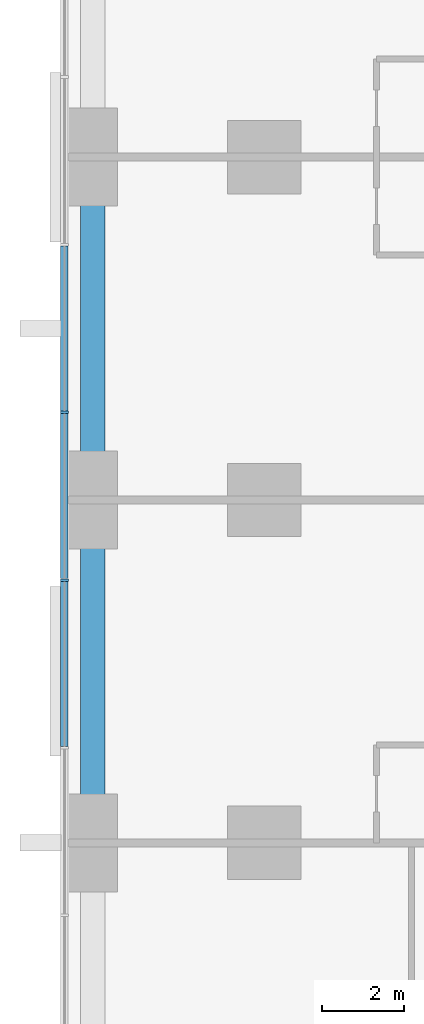
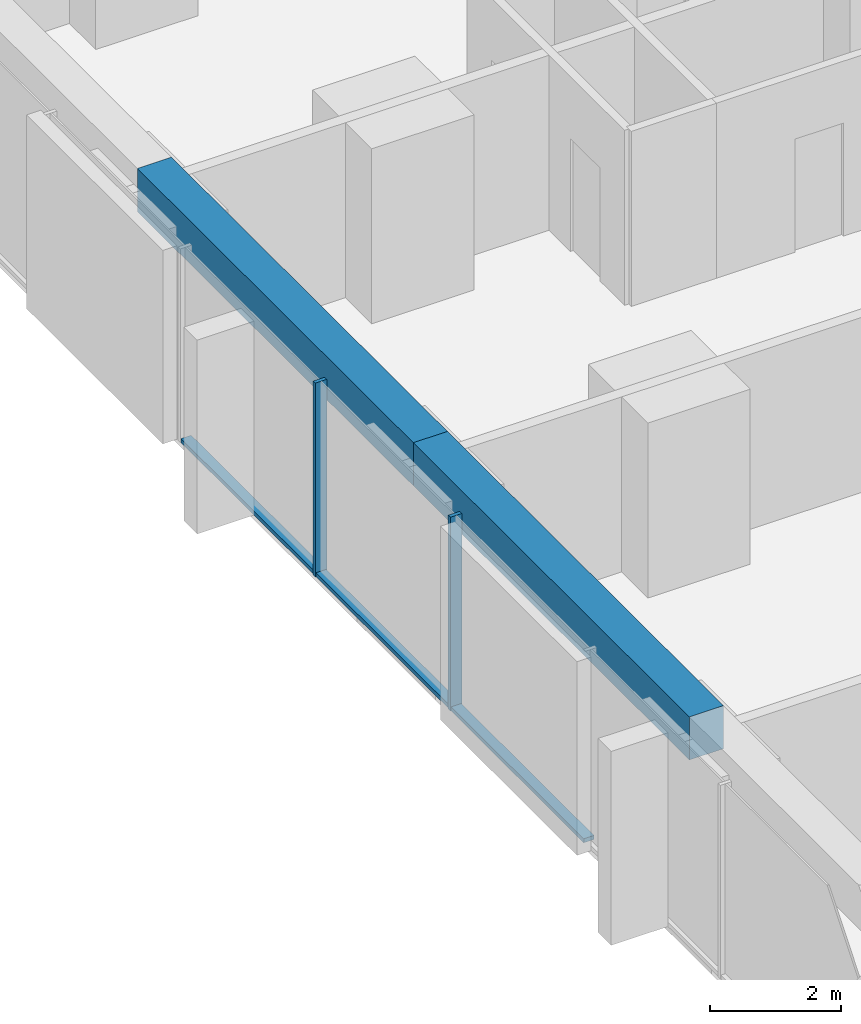
# One storey, part 3 of 17: 5 members, 2 beams, 1 element without a shape of its own.
"""IFC4 building model written with IfcOpenShell, lengths in metres."""

from ifc_helpers import new_model, si_unit, direction, frame, origin, origin_2d, place, context, subcontext, project, spatial, rectangle, extrude, material, material_profile, profile_set, type_object, element, aggregate, save


model = new_model("IFC4")

# Units and contexts
model_context = context("Model", 3, precision=1e-05, world=origin(), true_north=direction((0.0, 1.0)))
body_context = subcontext(model_context, "Body", "Model", "MODEL_VIEW")
ifc_project = project(units=[si_unit("LENGTHUNIT", "METRE"), si_unit("AREAUNIT", "SQUARE_METRE"), si_unit("VOLUMEUNIT", "CUBIC_METRE"), si_unit("PLANEANGLEUNIT", "RADIAN"), si_unit("MASSUNIT", "GRAM", prefix="KILO")], contexts=[model_context])

# Site, building, storey
site_placement = place(None, origin())
site = spatial("IfcSite", under=ifc_project, at=site_placement, CompositionType="ELEMENT")
building_placement = place(site_placement, origin())
building = spatial("IfcBuilding", under=site, at=building_placement, Name="Dunama Terrace Hotel", CompositionType="ELEMENT")
storey_placement = place(building_placement, frame((0.0, 0.0, 73.800048828125)))
storey = spatial("IfcBuildingStorey", under=building, at=storey_placement, Name="L18", CompositionType="ELEMENT", Elevation=73.800048828125)

# Curtain wall, members
ifc_material_1 = material(Name="Aluminium curtain wall system", Category="aluminium")
curtain_wall_type = type_object("IfcCurtainWallType", Name="Unitised fritted glass wall CW-A", PredefinedType="NOTDEFINED", material=ifc_material_1)
curtain_wall_placement = place(storey_placement, origin())
curtain_wall = element("IfcCurtainWall", 1, at=curtain_wall_placement, inside=storey, type_object=curtain_wall_type, Name="Unitised fritted glass wall CW-A L18", PredefinedType="NOTDEFINED")
ifc_material_2 = material(Name="Aluminium mullion", Category="aluminium")
ifc_material_profile_1 = material_profile(ifc_material_2, rectangle(XDim=0.06494140625, YDim=0.199951171875, at=origin_2d()), Name="CWA MULLION 65X200")
ifc_profile_set_1 = profile_set([ifc_material_profile_1], Name="Aluminium mullion")
member_type_1 = type_object("IfcMemberType", Name="CWA mullion 65x200", PredefinedType="MULLION", material=ifc_profile_set_1)
member_1_placement = place(storey_placement, frame((-0.10009765625, 27.345947265625, 0.0), z_axis=(0.0, 0.0, 1.0), x_axis=(0.0, -1.0, 0.0)))
member_1 = element("IfcMember", 2, at=member_1_placement, type_object=member_type_1, Name="CWA mullion", PredefinedType="MULLION", context=body_context, shape_type="SweptSolid", body=[
    extrude(rectangle(XDim=0.06494140625, YDim=0.199951171875, at=origin_2d()), origin(), (0.0, 0.0, 1.0), 3.599853515625),
])
member_2_placement = place(storey_placement, frame((-0.10009765625, 23.238037109375, 0.0), z_axis=(0.0, 0.0, 1.0), x_axis=(0.0, -1.0, 0.0)))
member_2 = element("IfcMember", 3, at=member_2_placement, type_object=member_type_1, Name="CWA mullion", PredefinedType="MULLION", context=body_context, shape_type="SweptSolid", body=[
    extrude(rectangle(XDim=0.06494140625, YDim=0.199951171875, at=origin_2d()), origin(), (0.0, 0.0, 1.0), 3.599853515625),
])
ifc_material_3 = material(Name="Aluminium transom", Category="aluminium")
ifc_material_profile_2 = material_profile(ifc_material_3, rectangle(XDim=0.179931640625, YDim=0.074951171875, at=origin_2d()), Name="CWA TRANSOM 180X75")
ifc_profile_set_2 = profile_set([ifc_material_profile_2], Name="Aluminium transom")
member_type_2 = type_object("IfcMemberType", Name="CWA transom 180x75", PredefinedType="USERDEFINED", material=ifc_profile_set_2)
member_3_placement = place(storey_placement, frame((-0.10009765625, 31.4208984375, 0.037353515625), z_axis=(0.0, -1.0, 0.0), x_axis=(1.0, 0.0, 0.0)))
member_3 = element("IfcMember", 4, at=member_3_placement, type_object=member_type_2, Name="CWA transom", ObjectType="TRANSOM", PredefinedType="USERDEFINED", context=body_context, shape_type="SweptSolid", body=[
    extrude(rectangle(XDim=0.179931640625, YDim=0.074951171875, at=origin_2d()), origin(), (0.0, 0.0, 1.0), 4.0419921875),
])
member_4_placement = place(storey_placement, frame((-0.10009765625, 27.31396484375, 0.037353515625), z_axis=(0.0, -1.0, 0.0), x_axis=(1.0, 0.0, 0.0)))
member_4 = element("IfcMember", 5, at=member_4_placement, type_object=member_type_2, Name="CWA transom", ObjectType="TRANSOM", PredefinedType="USERDEFINED", context=body_context, shape_type="SweptSolid", body=[
    extrude(rectangle(XDim=0.179931640625, YDim=0.074951171875, at=origin_2d()), origin(), (0.0, 0.0, 1.0), 4.04296875),
])
member_5_placement = place(storey_placement, frame((-0.10009765625, 23.2060546875, 0.037353515625), z_axis=(0.0, -1.0, 0.0), x_axis=(1.0, 0.0, 0.0)))
member_5 = element("IfcMember", 6, at=member_5_placement, type_object=member_type_2, Name="CWA transom", ObjectType="TRANSOM", PredefinedType="USERDEFINED", context=body_context, shape_type="SweptSolid", body=[
    extrude(rectangle(XDim=0.179931640625, YDim=0.074951171875, at=origin_2d()), origin(), (0.0, 0.0, 1.0), 4.04296875),
])
aggregate(curtain_wall, [member_1, member_2, member_3, member_4, member_5])

# Beams
ifc_material_4 = material(Name="Concrete C40/50", Category="concrete")
ifc_material_profile_3 = material_profile(ifc_material_4, rectangle(XDim=0.60009765625, YDim=0.800048828125, at=origin_2d()), Name="RC 600x800")
ifc_profile_set_3 = profile_set([ifc_material_profile_3], Name="Concrete C40/50")
beam_type = type_object("IfcBeamType", Name="Edge beam RC 600x800", PredefinedType="SPANDREL", material=ifc_profile_set_3)
beam_1_placement = place(storey_placement, frame((0.60009765625, 16.800048828125, 3.199951171875), z_axis=(0.0, 1.0, 0.0), x_axis=(-1.0, 0.0, 0.0)))
element("IfcBeam", 7, at=beam_1_placement, inside=storey, type_object=beam_type, Name="Edge beam under L19", PredefinedType="SPANDREL", context=body_context, shape_type="SweptSolid", body=[
    extrude(rectangle(XDim=0.60009765625, YDim=0.800048828125, at=origin_2d()), origin(), (0.0, 0.0, 1.0), 8.39990234375),
])
beam_2_placement = place(storey_placement, frame((0.60009765625, 25.199951171875, 3.199951171875), z_axis=(0.0, 1.0, 0.0), x_axis=(-1.0, 0.0, 0.0)))
element("IfcBeam", 8, at=beam_2_placement, inside=storey, type_object=beam_type, Name="Edge beam under L19", PredefinedType="SPANDREL", context=body_context, shape_type="SweptSolid", body=[
    extrude(rectangle(XDim=0.60009765625, YDim=0.800048828125, at=origin_2d()), origin(), (0.0, 0.0, 1.0), 8.400146484375),
])

save(model, "model.ifc")
